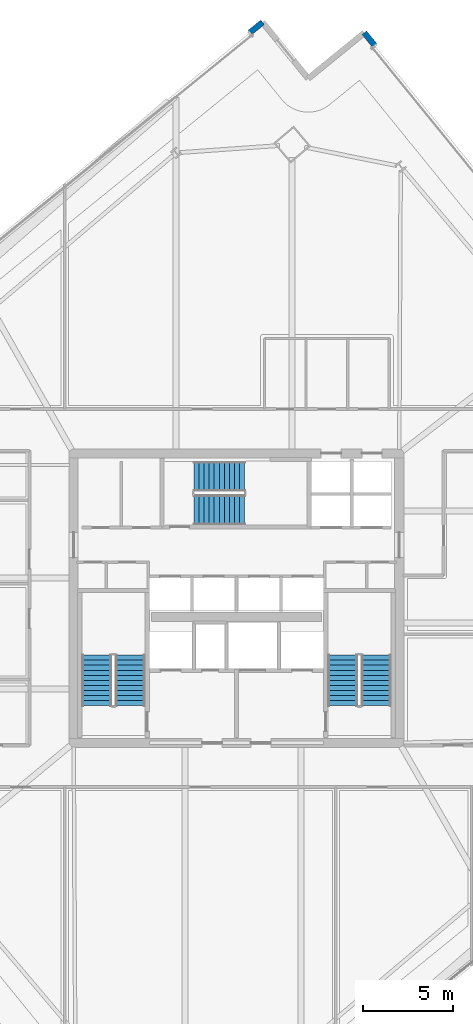
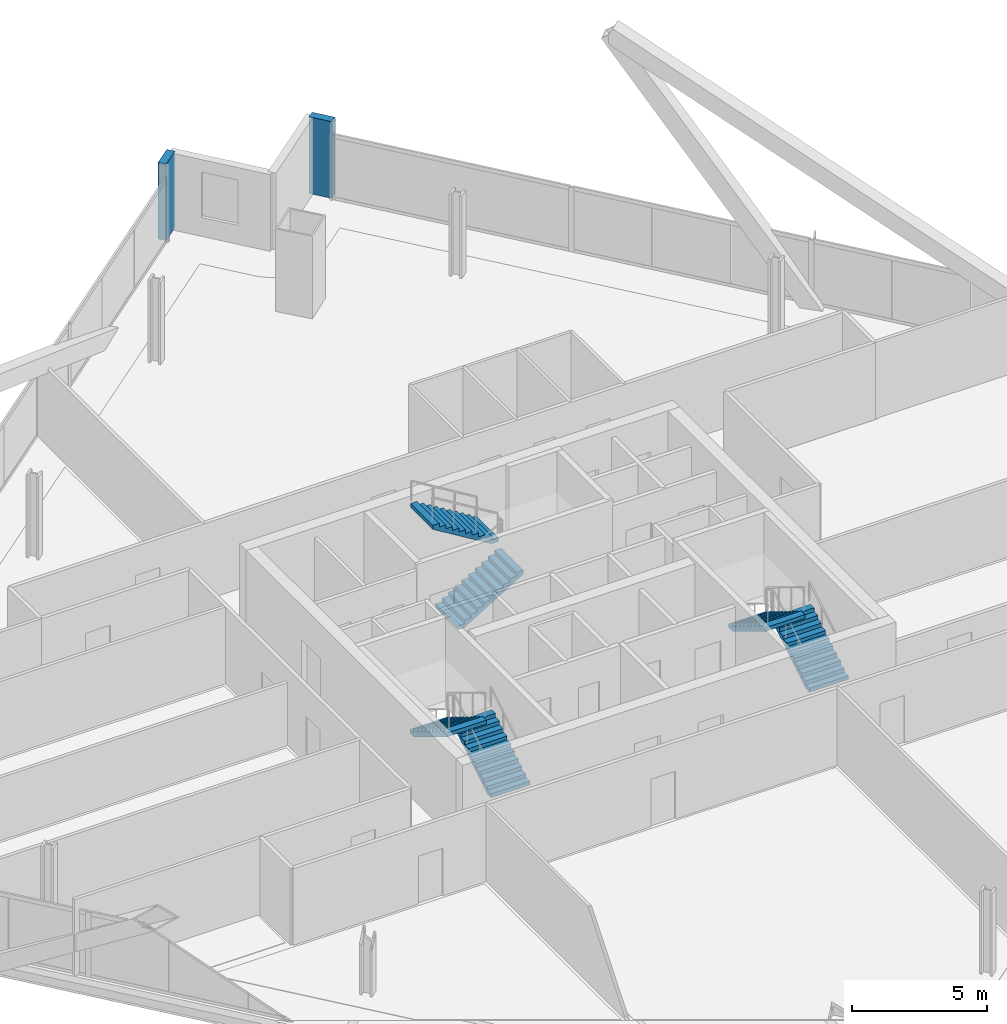
# One storey, part 31 of 36: 6 stair flights, 2 walls, 3 elements without a shape of their own.
"""IFC4 building model written with IfcOpenShell, lengths in metres."""

from ifc_helpers import new_model, si_unit, direction, frame, frame_2d, origin, place, context, subcontext, project, spatial, polyline, rectangle, outline, extrude, material, layer, layer_set, type_object, element, aggregate, save


model = new_model("IFC4")

# Units and contexts
model_context = context("Model", 3, precision=1e-05, world=origin(), true_north=direction((0.0, 1.0)))
body_context = subcontext(model_context, "Body", "Model", "MODEL_VIEW")
ifc_project = project(units=[si_unit("LENGTHUNIT", "METRE"), si_unit("AREAUNIT", "SQUARE_METRE"), si_unit("VOLUMEUNIT", "CUBIC_METRE"), si_unit("PLANEANGLEUNIT", "RADIAN"), si_unit("MASSUNIT", "GRAM", prefix="KILO")], contexts=[model_context])

# Site, building, storey
site_placement = place(None, origin())
site = spatial("IfcSite", under=ifc_project, at=site_placement, CompositionType="ELEMENT")
building_placement = place(site_placement, origin())
building = spatial("IfcBuilding", under=site, at=building_placement, Name="Haldenkirk Collegiate Tower", CompositionType="ELEMENT")
storey_placement = place(building_placement, frame((0.0, 0.0, 159.449951171875)))
storey = spatial("IfcBuildingStorey", under=building, at=storey_placement, Name="L39", CompositionType="ELEMENT", Elevation=159.449951171875)

# Walls
ifc_material_1 = material(Name="Precast concrete f'c 40 MPa", Category="concrete")
ifc_layer = layer(ifc_material_1, 0.320068359375)
ifc_layer_set = layer_set([ifc_layer], Name="Precast concrete f'c 40 MPa")
wall_type = type_object("IfcWallType", Name="WL-EXT-TWR-320", PredefinedType="STANDARD", material=ifc_layer_set)
wall_1_placement = place(storey_placement, frame((43.069091796875, 57.2587890625, 0.0), z_axis=(0.0, 0.0, 1.0), x_axis=(0.630664105663, -0.776055916689, 0.0)))
element("IfcWall", 1, at=wall_1_placement, inside=storey, type_object=wall_type, Name="L39 precast corner pier EL", PredefinedType="STANDARD", context=body_context, shape_type="SweptSolid", body=[
    extrude(rectangle(XDim=0.900146484375, YDim=0.320068359375, at=frame_2d((0.4501953125, 0.0))), origin(), (0.0, 0.0, 1.0), 3.4599609375),
])
wall_2_placement = place(storey_placement, frame((36.74365234375, 57.272705078125, 0.0), z_axis=(0.0, 0.0, 1.0), x_axis=(0.776188681907, 0.630500697921, 0.0)))
element("IfcWall", 2, at=wall_2_placement, inside=storey, type_object=wall_type, Name="L39 precast corner pier NR", PredefinedType="STANDARD", context=body_context, shape_type="SweptSolid", body=[
    extrude(rectangle(XDim=0.89990234375, YDim=0.320068359375, at=frame_2d((0.449951171875, 0.0))), origin(), (0.0, 0.0, 1.0), 3.4599609375),
])

# Stair, stair flights
ifc_material_2 = material(Name="Concrete f'c 40 MPa", Category="concrete")
stair_type = type_object("IfcStairType", Name="STR-DOGLEG-1650", PredefinedType="HALF_TURN_STAIR", material=ifc_material_2)
stair_1_placement = place(storey_placement, origin())
stair_1 = element("IfcStair", 3, at=stair_1_placement, inside=storey, type_object=stair_type, Name="L39 Core Exit Stair ST-1", PredefinedType="HALF_TURN_STAIR")
stair_flight_type = type_object("IfcStairFlightType", Name="STF-FLIGHT-1650", PredefinedType="STRAIGHT", material=ifc_material_2)
stair_flight_1_placement = place(storey_placement, frame((30.125, 20.050048828125, 0.0), z_axis=(0.0, 0.0, 1.0), x_axis=(0.0, 1.0, 0.0)))
stair_flight_1 = element("IfcStairFlight", 4, at=stair_flight_1_placement, type_object=stair_flight_type, Name="ST-1 flight 1", NumberOfRisers=11, NumberOfTreads=10, PredefinedType="STRAIGHT", RiserHeight=0.170454545, TreadLength=0.28, context=body_context, shape_type="SweptSolid", body=[
    extrude(outline(polyline([(0.0, 0.0), (0.0, 0.17041015625), (0.280029296875, 0.17041015625), (0.280029296875, 0.3408203125), (0.56005859375, 0.3408203125), (0.56005859375, 0.511474609375), (0.840087890625, 0.511474609375), (0.840087890625, 0.681884765625), (1.1201171875, 0.681884765625), (1.1201171875, 0.852294921875), (1.39990234375, 0.852294921875), (1.39990234375, 1.022705078125), (1.679931640625, 1.022705078125), (1.679931640625, 1.193115234375), (1.9599609375, 1.193115234375), (1.9599609375, 1.363525390625), (2.239990234375, 1.363525390625), (2.239990234375, 1.5341796875), (2.52001953125, 1.5341796875), (2.52001953125, 1.70458984375), (2.800048828125, 1.70458984375), (2.800048828125, 1.875), (2.800048828125, 1.529052734375), (0.288330078125, 0.0), (0.0, 0.0)])), frame((0.0, 0.824951171875, 0.0), z_axis=(0.0, -1.0, 0.0), x_axis=(1.0, 0.0, 0.0)), (0.0, 0.0, 1.0), 1.64990234375),
])
stair_flight_2_placement = place(storey_placement, frame((28.27490234375, 22.85009765625, 1.875), z_axis=(0.0, 0.0, 1.0), x_axis=(0.0, -1.0, 0.0)))
stair_flight_2 = element("IfcStairFlight", 5, at=stair_flight_2_placement, type_object=stair_flight_type, Name="ST-1 flight 2", NumberOfRisers=11, NumberOfTreads=10, PredefinedType="STRAIGHT", RiserHeight=0.170454545, TreadLength=0.28, context=body_context, shape_type="SweptSolid", body=[
    extrude(outline(polyline([(0.0, 0.0), (0.0, 0.17041015625), (0.280029296875, 0.17041015625), (0.280029296875, 0.3408203125), (0.56005859375, 0.3408203125), (0.56005859375, 0.511474609375), (0.840087890625, 0.511474609375), (0.840087890625, 0.681884765625), (1.1201171875, 0.681884765625), (1.1201171875, 0.852294921875), (1.39990234375, 0.852294921875), (1.39990234375, 1.022705078125), (1.679931640625, 1.022705078125), (1.679931640625, 1.193115234375), (1.9599609375, 1.193115234375), (1.9599609375, 1.363525390625), (2.239990234375, 1.363525390625), (2.239990234375, 1.5341796875), (2.52001953125, 1.5341796875), (2.52001953125, 1.70458984375), (2.800048828125, 1.70458984375), (2.800048828125, 1.875), (2.800048828125, 1.529052734375), (0.288330078125, 0.0), (0.0, 0.0)])), frame((0.0, 0.824951171875, 0.0), z_axis=(0.0, -1.0, 0.0), x_axis=(1.0, 0.0, 0.0)), (0.0, 0.0, 1.0), 1.64990234375),
])
aggregate(stair_1, [stair_flight_1, stair_flight_2])

stair_2_placement = place(storey_placement, origin())
stair_2 = element("IfcStair", 6, at=stair_2_placement, inside=storey, type_object=stair_type, Name="L39 Core Exit Stair ST-2", PredefinedType="HALF_TURN_STAIR")
stair_flight_3_placement = place(storey_placement, frame((43.72509765625, 20.050048828125, 0.0), z_axis=(0.0, 0.0, 1.0), x_axis=(0.0, 1.0, 0.0)))
stair_flight_3 = element("IfcStairFlight", 7, at=stair_flight_3_placement, type_object=stair_flight_type, Name="ST-2 flight 1", NumberOfRisers=11, NumberOfTreads=10, PredefinedType="STRAIGHT", RiserHeight=0.170454545, TreadLength=0.28, context=body_context, shape_type="SweptSolid", body=[
    extrude(outline(polyline([(0.0, 0.0), (0.0, 0.17041015625), (0.280029296875, 0.17041015625), (0.280029296875, 0.3408203125), (0.56005859375, 0.3408203125), (0.56005859375, 0.511474609375), (0.840087890625, 0.511474609375), (0.840087890625, 0.681884765625), (1.1201171875, 0.681884765625), (1.1201171875, 0.852294921875), (1.39990234375, 0.852294921875), (1.39990234375, 1.022705078125), (1.679931640625, 1.022705078125), (1.679931640625, 1.193115234375), (1.9599609375, 1.193115234375), (1.9599609375, 1.363525390625), (2.239990234375, 1.363525390625), (2.239990234375, 1.5341796875), (2.52001953125, 1.5341796875), (2.52001953125, 1.70458984375), (2.800048828125, 1.70458984375), (2.800048828125, 1.875), (2.800048828125, 1.529052734375), (0.288330078125, 0.0), (0.0, 0.0)])), frame((0.0, 0.824951171875, 0.0), z_axis=(0.0, -1.0, 0.0), x_axis=(1.0, 0.0, 0.0)), (0.0, 0.0, 1.0), 1.64990234375),
])
stair_flight_4_placement = place(storey_placement, frame((41.875, 22.85009765625, 1.875), z_axis=(0.0, 0.0, 1.0), x_axis=(0.0, -1.0, 0.0)))
stair_flight_4 = element("IfcStairFlight", 8, at=stair_flight_4_placement, type_object=stair_flight_type, Name="ST-2 flight 2", NumberOfRisers=11, NumberOfTreads=10, PredefinedType="STRAIGHT", RiserHeight=0.170454545, TreadLength=0.28, context=body_context, shape_type="SweptSolid", body=[
    extrude(outline(polyline([(0.0, 0.0), (0.0, 0.17041015625), (0.280029296875, 0.17041015625), (0.280029296875, 0.3408203125), (0.56005859375, 0.3408203125), (0.56005859375, 0.511474609375), (0.840087890625, 0.511474609375), (0.840087890625, 0.681884765625), (1.1201171875, 0.681884765625), (1.1201171875, 0.852294921875), (1.39990234375, 0.852294921875), (1.39990234375, 1.022705078125), (1.679931640625, 1.022705078125), (1.679931640625, 1.193115234375), (1.9599609375, 1.193115234375), (1.9599609375, 1.363525390625), (2.239990234375, 1.363525390625), (2.239990234375, 1.5341796875), (2.52001953125, 1.5341796875), (2.52001953125, 1.70458984375), (2.800048828125, 1.70458984375), (2.800048828125, 1.875), (2.800048828125, 1.529052734375), (0.288330078125, 0.0), (0.0, 0.0)])), frame((0.0, 0.824951171875, 0.0), z_axis=(0.0, -1.0, 0.0), x_axis=(1.0, 0.0, 0.0)), (0.0, 0.0, 1.0), 1.64990234375),
])
aggregate(stair_2, [stair_flight_3, stair_flight_4])

stair_3_placement = place(storey_placement, origin())
stair_3 = element("IfcStair", 9, at=stair_3_placement, inside=storey, type_object=stair_type, Name="L39 Core Exit Stair ST-3", PredefinedType="HALF_TURN_STAIR")
stair_flight_5_placement = place(storey_placement, frame((33.64990234375, 30.875, 0.0), z_axis=(0.0, 0.0, 1.0), x_axis=(1.0, 0.0, 0.0)))
stair_flight_5 = element("IfcStairFlight", 10, at=stair_flight_5_placement, type_object=stair_flight_type, Name="ST-3 flight 1", NumberOfRisers=11, NumberOfTreads=10, PredefinedType="STRAIGHT", RiserHeight=0.170454545, TreadLength=0.28, context=body_context, shape_type="SweptSolid", body=[
    extrude(outline(polyline([(0.0, 0.0), (0.0, 0.17041015625), (0.280029296875, 0.17041015625), (0.280029296875, 0.3408203125), (0.56005859375, 0.3408203125), (0.56005859375, 0.511474609375), (0.840087890625, 0.511474609375), (0.840087890625, 0.681884765625), (1.1201171875, 0.681884765625), (1.1201171875, 0.852294921875), (1.39990234375, 0.852294921875), (1.39990234375, 1.022705078125), (1.679931640625, 1.022705078125), (1.679931640625, 1.193115234375), (1.9599609375, 1.193115234375), (1.9599609375, 1.363525390625), (2.239990234375, 1.363525390625), (2.239990234375, 1.5341796875), (2.52001953125, 1.5341796875), (2.52001953125, 1.70458984375), (2.800048828125, 1.70458984375), (2.800048828125, 1.875), (2.800048828125, 1.529052734375), (0.288330078125, 0.0), (0.0, 0.0)])), frame((0.0, 0.824951171875, 0.0), z_axis=(0.0, -1.0, 0.0), x_axis=(1.0, 0.0, 0.0)), (0.0, 0.0, 1.0), 1.64990234375),
])
stair_flight_6_placement = place(storey_placement, frame((36.449951171875, 32.72509765625, 1.875), z_axis=(0.0, 0.0, 1.0), x_axis=(-1.0, 0.0, 0.0)))
stair_flight_6 = element("IfcStairFlight", 11, at=stair_flight_6_placement, type_object=stair_flight_type, Name="ST-3 flight 2", NumberOfRisers=11, NumberOfTreads=10, PredefinedType="STRAIGHT", RiserHeight=0.170454545, TreadLength=0.28, context=body_context, shape_type="SweptSolid", body=[
    extrude(outline(polyline([(0.0, 0.0), (0.0, 0.17041015625), (0.280029296875, 0.17041015625), (0.280029296875, 0.3408203125), (0.56005859375, 0.3408203125), (0.56005859375, 0.511474609375), (0.840087890625, 0.511474609375), (0.840087890625, 0.681884765625), (1.1201171875, 0.681884765625), (1.1201171875, 0.852294921875), (1.39990234375, 0.852294921875), (1.39990234375, 1.022705078125), (1.679931640625, 1.022705078125), (1.679931640625, 1.193115234375), (1.9599609375, 1.193115234375), (1.9599609375, 1.363525390625), (2.239990234375, 1.363525390625), (2.239990234375, 1.5341796875), (2.52001953125, 1.5341796875), (2.52001953125, 1.70458984375), (2.800048828125, 1.70458984375), (2.800048828125, 1.875), (2.800048828125, 1.529052734375), (0.288330078125, 0.0), (0.0, 0.0)])), frame((0.0, 0.824951171875, 0.0), z_axis=(0.0, -1.0, 0.0), x_axis=(1.0, 0.0, 0.0)), (0.0, 0.0, 1.0), 1.64990234375),
])
aggregate(stair_3, [stair_flight_5, stair_flight_6])

save(model, "model.ifc")
